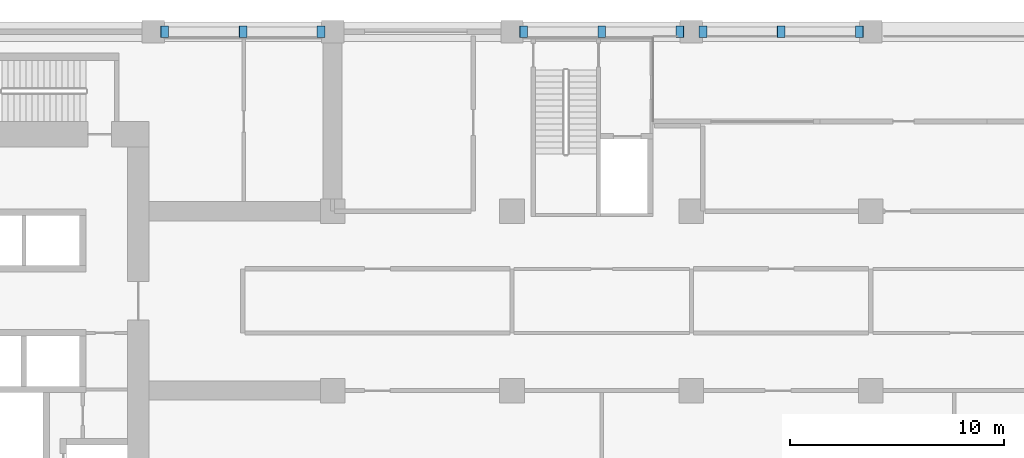
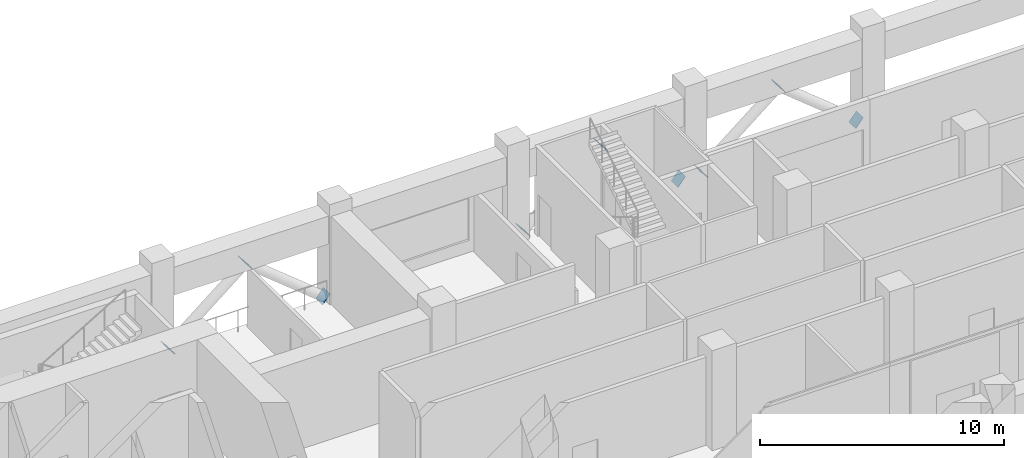
# One storey, part 12 of 19: 9 discrete accessories.
"""IFC4 building model written with IfcOpenShell, lengths in metres."""

from ifc_helpers import new_model, si_unit, direction, frame, origin, origin_2d, place, context, subcontext, project, spatial, rectangle, extrude, material, material_profile, profile_set, type_object, element, save


model = new_model("IFC4")

# Units and contexts
model_context = context("Model", 3, precision=1e-05, world=origin(), true_north=direction((0.0, 1.0)))
body_context = subcontext(model_context, "Body", "Model", "MODEL_VIEW")
ifc_project = project(units=[si_unit("LENGTHUNIT", "METRE"), si_unit("AREAUNIT", "SQUARE_METRE"), si_unit("VOLUMEUNIT", "CUBIC_METRE"), si_unit("PLANEANGLEUNIT", "RADIAN"), si_unit("MASSUNIT", "GRAM", prefix="KILO")], contexts=[model_context])

# Site, building, storey
site_placement = place(None, origin())
site = spatial("IfcSite", under=ifc_project, at=site_placement, CompositionType="ELEMENT")
building_placement = place(site_placement, origin())
building = spatial("IfcBuilding", under=site, at=building_placement, Name="Kawkab Arch Medical Tower", CompositionType="ELEMENT")
storey_placement = place(building_placement, frame((0.0, 0.0, 93.800048828125)))
storey = spatial("IfcBuildingStorey", under=building, at=storey_placement, Name="L21", CompositionType="ELEMENT", Elevation=93.800048828125)

# Discrete accessories
ifc_material = material(Name="Steel S355", Category="steel")
ifc_material_profile = material_profile(ifc_material, rectangle(XDim=0.556884765625, YDim=0.556884765625, at=origin_2d()), Name="End plate 557 x 20")
ifc_profile_set = profile_set([ifc_material_profile], Name="Steel S355")
discrete_accessory_type = type_object("IfcDiscreteAccessoryType", Name="End plate 557 x 20", PredefinedType="ANCHORPLATE", material=ifc_profile_set)
for number, where, z_axis, x_axis, name in (
    (1, (29.39208984375, 0.0, 3.0849609375), (0.776114000116, 0.0, 0.630592625094), (0.0, 1.0, 0.0), "End plate BT2"),
    (2, (46.192138671875, 0.0, 3.0849609375), (0.776114000116, 0.0, 0.630592625094), (0.0, 1.0, 0.0), "End plate BT2"),
    (3, (54.59228515625, 0.0, 3.0849609375), (0.776114000116, 0.0, 0.630592625094), (0.0, 1.0, 0.0), "End plate BT2"),
    (4, (25.740478515625, 0.0, 0.1259765625), (-0.771223025002, 0.0, -0.63656503651), (0.0, -1.0, 0.0), "End plate BT2"),
    (5, (33.0595703125, 0.0, 0.1259765625), (0.771223025002, 0.0, -0.63656503651), (0.0, 1.0, 0.0), "End plate BT2"),
    (6, (42.54052734375, 0.0, 0.1259765625), (-0.776114000116, 0.0, -0.630592625094), (0.0, -1.0, 0.0), "End plate BT2"),
    (7, (49.859619140625, 0.0, 0.1259765625), (0.771223025002, 0.0, -0.63656503651), (0.0, 1.0, 0.0), "End plate BT2"),
    (8, (50.9404296875, 0.0, 0.1259765625), (-0.771223025002, 0.0, -0.63656503651), (0.0, -1.0, 0.0), "End plate BT2"),
    (9, (58.259521484375, 0.0, 0.1259765625), (0.771223025002, 0.0, -0.63656503651), (0.0, 1.0, 0.0), "End plate BT2"),
):
    element("IfcDiscreteAccessory", number, at=place(storey_placement, frame(where, z_axis=z_axis, x_axis=x_axis)), inside=storey, type_object=discrete_accessory_type, Name=name, PredefinedType="ANCHORPLATE", context=body_context, shape_type="SweptSolid", body=[
        extrude(rectangle(XDim=0.556884765625, YDim=0.556884765625, at=origin_2d()), origin(), (0.0, 0.0, 1.0), 0.02001953125),
    ])

save(model, "model.ifc")
